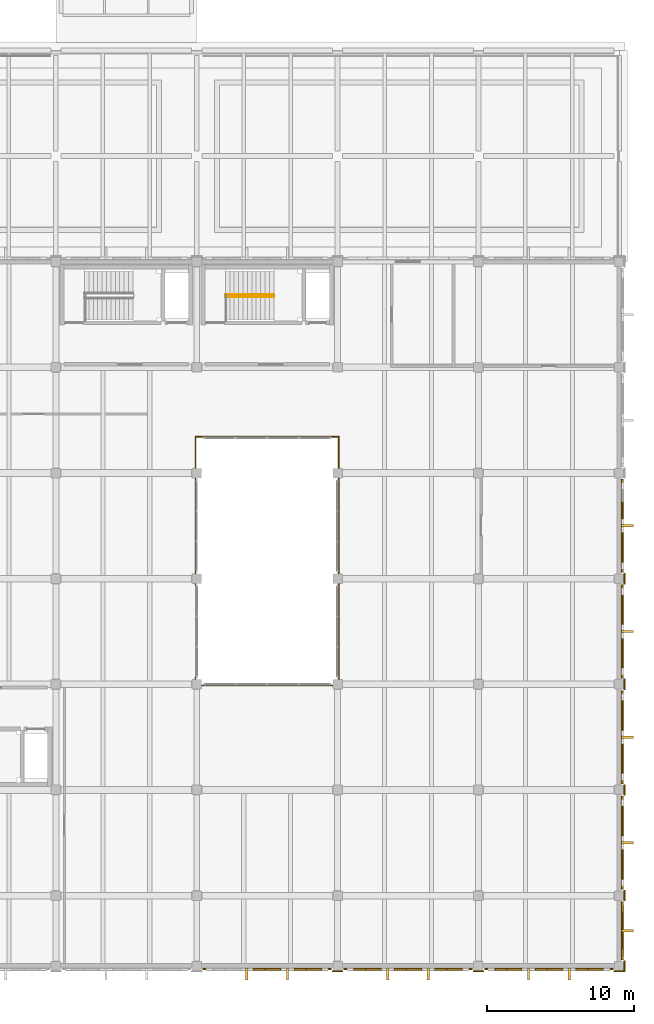
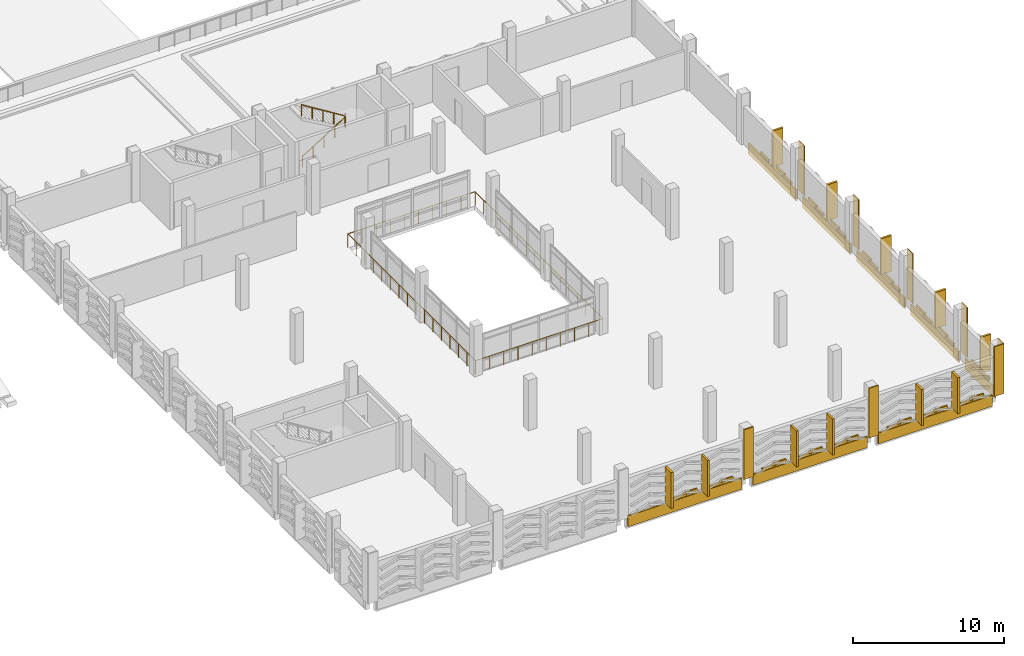
# One storey, part 132 of 134: 60 coverings, 4 railings.
"""IFC4 building model written with IfcOpenShell, lengths in metres."""

from ifc_helpers import new_model, si_unit, direction, frame, origin, origin_2d, place, context, subcontext, project, spatial, rectangle, circle, extrude, material, layer, layer_set, type_object, element, save


model = new_model("IFC4")

# Units and contexts
model_context = context("Model", 3, precision=1e-05, world=origin(), true_north=direction((0.0, 1.0)))
body_context = subcontext(model_context, "Body", "Model", "MODEL_VIEW")
ifc_project = project(units=[si_unit("LENGTHUNIT", "METRE"), si_unit("AREAUNIT", "SQUARE_METRE"), si_unit("VOLUMEUNIT", "CUBIC_METRE"), si_unit("PLANEANGLEUNIT", "RADIAN"), si_unit("MASSUNIT", "GRAM", prefix="KILO")], contexts=[model_context])

# Site, building, storey
site_placement = place(None, origin())
site = spatial("IfcSite", under=ifc_project, at=site_placement, CompositionType="ELEMENT")
building_placement = place(site_placement, origin())
building = spatial("IfcBuilding", under=site, at=building_placement, Name="Asteropetra Specialist Clinic", CompositionType="ELEMENT")
storey_placement = place(building_placement, frame((0.0, 0.0, 8.5)))
storey = spatial("IfcBuildingStorey", under=building, at=storey_placement, Name="L02", CompositionType="ELEMENT", Elevation=8.5)

# Coverings
ifc_material_1 = material(Name="Chevron aegean mid")
ifc_layer_1 = layer(ifc_material_1, 0.1201171875)
ifc_layer_set_1 = layer_set([ifc_layer_1], Name="Chevron aegean mid")
covering_type_1 = type_object("IfcCoveringType", Name="CLD-AEG-MID", PredefinedType="CLADDING", material=ifc_layer_set_1)
covering_1_placement = place(storey_placement, frame((129.60009765625, -0.197509765625, -0.800048828125), z_axis=(0.0, 0.0, 1.0), x_axis=(1.0, 0.0, 0.0)))
element("IfcCovering", 1, at=covering_1_placement, inside=storey, type_object=covering_type_1, Name="Chevron Spandrel Band CV-2173", PredefinedType="CLADDING", context=body_context, shape_type="SweptSolid", body=[
    extrude(rectangle(XDim=8.75, YDim=0.1201171875, at=origin_2d()), origin(), (0.0, 0.0, 1.0), 0.8798828125),
])
for number, where, z_axis, x_axis, name in (
    (2, (129.1904296875, -0.21240234375, 0.1201171875), (0.0, 0.0, 1.0), (1.0, 0.0, 0.0), "Chevron Ceramic Band CV-2176"),
    (3, (130.009521484375, -0.21240234375, 0.26025390625), (0.0, 0.0, 1.0), (1.0, 0.0, 0.0), "Chevron Ceramic Band CV-2177"),
    (4, (131.96044921875, -0.21240234375, 0.1201171875), (0.0, 0.0, 1.0), (1.0, 0.0, 0.0), "Chevron Ceramic Band CV-2178"),
    (5, (132.779541015625, -0.21240234375, 0.26025390625), (0.0, 0.0, 1.0), (1.0, 0.0, 0.0), "Chevron Ceramic Band CV-2179"),
):
    element("IfcCovering", number, at=place(storey_placement, frame(where, z_axis=z_axis, x_axis=x_axis)), inside=storey, type_object=covering_type_1, Name=name, PredefinedType="CLADDING", context=body_context, shape_type="SweptSolid", body=[
        extrude(rectangle(XDim=1.052978515625, YDim=0.1201171875, at=origin_2d()), origin(), (0.0, 0.0, 1.0), 0.199951171875),
    ])
covering_2_placement = place(storey_placement, frame((139.199951171875, -0.197509765625, -0.800048828125), z_axis=(0.0, 0.0, 1.0), x_axis=(1.0, 0.0, 0.0)))
element("IfcCovering", 6, at=covering_2_placement, inside=storey, type_object=covering_type_1, Name="Chevron Spandrel Band CV-2187", PredefinedType="CLADDING", context=body_context, shape_type="SweptSolid", body=[
    extrude(rectangle(XDim=8.75, YDim=0.1201171875, at=origin_2d()), origin(), (0.0, 0.0, 1.0), 0.8798828125),
])
for number, where, z_axis, x_axis, name in (
    (7, (136.0205078125, -0.21240234375, 0.1201171875), (0.0, 0.0, 1.0), (1.0, 0.0, 0.0), "Chevron Ceramic Band CV-2188"),
    (8, (136.839599609375, -0.21240234375, 0.26025390625), (0.0, 0.0, 1.0), (1.0, 0.0, 0.0), "Chevron Ceramic Band CV-2189"),
    (9, (138.79052734375, -0.21240234375, 0.1201171875), (0.0, 0.0, 1.0), (1.0, 0.0, 0.0), "Chevron Ceramic Band CV-2190"),
    (10, (139.609619140625, -0.21240234375, 0.26025390625), (0.0, 0.0, 1.0), (1.0, 0.0, 0.0), "Chevron Ceramic Band CV-2191"),
    (11, (141.560546875, -0.21240234375, 0.1201171875), (0.0, 0.0, 1.0), (1.0, 0.0, 0.0), "Chevron Ceramic Band CV-2192"),
    (12, (142.37939453125, -0.21240234375, 0.26025390625), (0.0, 0.0, 1.0), (1.0, 0.0, 0.0), "Chevron Ceramic Band CV-2193"),
):
    element("IfcCovering", number, at=place(storey_placement, frame(where, z_axis=z_axis, x_axis=x_axis)), inside=storey, type_object=covering_type_1, Name=name, PredefinedType="CLADDING", context=body_context, shape_type="SweptSolid", body=[
        extrude(rectangle(XDim=1.052978515625, YDim=0.1201171875, at=origin_2d()), origin(), (0.0, 0.0, 1.0), 0.199951171875),
    ])
covering_3_placement = place(storey_placement, frame((148.800048828125, -0.197509765625, -0.800048828125), z_axis=(0.0, 0.0, 1.0), x_axis=(1.0, 0.0, 0.0)))
element("IfcCovering", 13, at=covering_3_placement, inside=storey, type_object=covering_type_1, Name="Chevron Spandrel Band CV-2195", PredefinedType="CLADDING", context=body_context, shape_type="SweptSolid", body=[
    extrude(rectangle(XDim=8.75, YDim=0.1201171875, at=origin_2d()), origin(), (0.0, 0.0, 1.0), 0.8798828125),
])
for number, where, z_axis, x_axis, name in (
    (14, (145.62060546875, -0.21240234375, 0.1201171875), (0.0, 0.0, 1.0), (1.0, 0.0, 0.0), "Chevron Ceramic Band CV-2196"),
    (15, (146.439453125, -0.21240234375, 0.26025390625), (0.0, 0.0, 1.0), (1.0, 0.0, 0.0), "Chevron Ceramic Band CV-2197"),
    (16, (148.390380859375, -0.21240234375, 0.1201171875), (0.0, 0.0, 1.0), (1.0, 0.0, 0.0), "Chevron Ceramic Band CV-2198"),
    (17, (149.20947265625, -0.21240234375, 0.26025390625), (0.0, 0.0, 1.0), (1.0, 0.0, 0.0), "Chevron Ceramic Band CV-2199"),
    (18, (151.160400390625, -0.21240234375, 0.1201171875), (0.0, 0.0, 1.0), (1.0, 0.0, 0.0), "Chevron Ceramic Band CV-2200"),
    (19, (151.9794921875, -0.21240234375, 0.26025390625), (0.0, 0.0, 1.0), (1.0, 0.0, 0.0), "Chevron Ceramic Band CV-2201"),
):
    element("IfcCovering", number, at=place(storey_placement, frame(where, z_axis=z_axis, x_axis=x_axis)), inside=storey, type_object=covering_type_1, Name=name, PredefinedType="CLADDING", context=body_context, shape_type="SweptSolid", body=[
        extrude(rectangle(XDim=1.052978515625, YDim=0.1201171875, at=origin_2d()), origin(), (0.0, 0.0, 1.0), 0.199951171875),
    ])
covering_4_placement = place(storey_placement, frame((153.797607421875, 2.39990234375, -0.800048828125), z_axis=(0.0, 0.0, 1.0), x_axis=(1.0, 0.0, 0.0)))
element("IfcCovering", 20, at=covering_4_placement, inside=storey, type_object=covering_type_1, Name="Chevron Spandrel Band CV-2212", PredefinedType="CLADDING", context=body_context, shape_type="SweptSolid", body=[
    extrude(rectangle(XDim=0.1201171875, YDim=3.949951171875, at=origin_2d()), origin(), (0.0, 0.0, 1.0), 0.8798828125),
])
for number, where, z_axis, x_axis, name in (
    (21, (153.8125, 1.87939453125, 0.1201171875), (0.0, 0.0, 1.0), (1.0, 0.0, 0.0), "Chevron Ceramic Band CV-2213"),
    (22, (153.8125, 2.92041015625, 0.26025390625), (0.0, 0.0, 1.0), (1.0, 0.0, 0.0), "Chevron Ceramic Band CV-2214"),
):
    element("IfcCovering", number, at=place(storey_placement, frame(where, z_axis=z_axis, x_axis=x_axis)), inside=storey, type_object=covering_type_1, Name=name, PredefinedType="CLADDING", context=body_context, shape_type="SweptSolid", body=[
        extrude(rectangle(XDim=0.1201171875, YDim=1.333984375, at=origin_2d()), origin(), (0.0, 0.0, 1.0), 0.199951171875),
    ])
covering_5_placement = place(storey_placement, frame((153.797607421875, 8.39990234375, -0.800048828125), z_axis=(0.0, 0.0, 1.0), x_axis=(1.0, 0.0, 0.0)))
element("IfcCovering", 23, at=covering_5_placement, inside=storey, type_object=covering_type_1, Name="Chevron Spandrel Band CV-2220", PredefinedType="CLADDING", context=body_context, shape_type="SweptSolid", body=[
    extrude(rectangle(XDim=0.1201171875, YDim=6.35009765625, at=origin_2d()), origin(), (0.0, 0.0, 1.0), 0.8798828125),
])
for number, where, z_axis, x_axis, name in (
    (24, (153.8125, 6.4853515625, 0.1201171875), (0.0, 0.0, 1.0), (1.0, 0.0, 0.0), "Chevron Ceramic Band CV-2221"),
    (25, (153.8125, 7.35986328125, 0.26025390625), (0.0, 0.0, 1.0), (1.0, 0.0, 0.0), "Chevron Ceramic Band CV-2222"),
    (26, (153.8125, 9.440185546875, 0.1201171875), (0.0, 0.0, 1.0), (1.0, 0.0, 0.0), "Chevron Ceramic Band CV-2223"),
    (27, (153.8125, 10.314697265625, 0.26025390625), (0.0, 0.0, 1.0), (1.0, 0.0, 0.0), "Chevron Ceramic Band CV-2224"),
):
    element("IfcCovering", number, at=place(storey_placement, frame(where, z_axis=z_axis, x_axis=x_axis)), inside=storey, type_object=covering_type_1, Name=name, PredefinedType="CLADDING", context=body_context, shape_type="SweptSolid", body=[
        extrude(rectangle(XDim=0.1201171875, YDim=1.123046875, at=origin_2d()), origin(), (0.0, 0.0, 1.0), 0.199951171875),
    ])
covering_6_placement = place(storey_placement, frame((153.797607421875, 15.60009765625, -0.800048828125), z_axis=(0.0, 0.0, 1.0), x_axis=(1.0, 0.0, 0.0)))
element("IfcCovering", 28, at=covering_6_placement, inside=storey, type_object=covering_type_1, Name="Chevron Spandrel Band CV-2230", PredefinedType="CLADDING", context=body_context, shape_type="SweptSolid", body=[
    extrude(rectangle(XDim=0.1201171875, YDim=6.35009765625, at=origin_2d()), origin(), (0.0, 0.0, 1.0), 0.8798828125),
])
for number, where, z_axis, x_axis, name in (
    (29, (153.8125, 13.685302734375, 0.1201171875), (0.0, 0.0, 1.0), (1.0, 0.0, 0.0), "Chevron Ceramic Band CV-2231"),
    (30, (153.8125, 14.559814453125, 0.26025390625), (0.0, 0.0, 1.0), (1.0, 0.0, 0.0), "Chevron Ceramic Band CV-2232"),
    (31, (153.8125, 16.640380859375, 0.1201171875), (0.0, 0.0, 1.0), (1.0, 0.0, 0.0), "Chevron Ceramic Band CV-2233"),
    (32, (153.8125, 17.5146484375, 0.26025390625), (0.0, 0.0, 1.0), (1.0, 0.0, 0.0), "Chevron Ceramic Band CV-2234"),
):
    element("IfcCovering", number, at=place(storey_placement, frame(where, z_axis=z_axis, x_axis=x_axis)), inside=storey, type_object=covering_type_1, Name=name, PredefinedType="CLADDING", context=body_context, shape_type="SweptSolid", body=[
        extrude(rectangle(XDim=0.1201171875, YDim=1.123046875, at=origin_2d()), origin(), (0.0, 0.0, 1.0), 0.199951171875),
    ])
covering_7_placement = place(storey_placement, frame((153.797607421875, 22.800048828125, -0.800048828125), z_axis=(0.0, 0.0, 1.0), x_axis=(1.0, 0.0, 0.0)))
element("IfcCovering", 33, at=covering_7_placement, inside=storey, type_object=covering_type_1, Name="Chevron Spandrel Band CV-2240", PredefinedType="CLADDING", context=body_context, shape_type="SweptSolid", body=[
    extrude(rectangle(XDim=0.1201171875, YDim=6.35009765625, at=origin_2d()), origin(), (0.0, 0.0, 1.0), 0.8798828125),
])
for number, where, z_axis, x_axis, name in (
    (34, (153.8125, 20.88525390625, 0.1201171875), (0.0, 0.0, 1.0), (1.0, 0.0, 0.0), "Chevron Ceramic Band CV-2241"),
    (35, (153.8125, 21.759765625, 0.26025390625), (0.0, 0.0, 1.0), (1.0, 0.0, 0.0), "Chevron Ceramic Band CV-2242"),
    (36, (153.8125, 23.840087890625, 0.1201171875), (0.0, 0.0, 1.0), (1.0, 0.0, 0.0), "Chevron Ceramic Band CV-2243"),
    (37, (153.8125, 24.714599609375, 0.26025390625), (0.0, 0.0, 1.0), (1.0, 0.0, 0.0), "Chevron Ceramic Band CV-2244"),
):
    element("IfcCovering", number, at=place(storey_placement, frame(where, z_axis=z_axis, x_axis=x_axis)), inside=storey, type_object=covering_type_1, Name=name, PredefinedType="CLADDING", context=body_context, shape_type="SweptSolid", body=[
        extrude(rectangle(XDim=0.1201171875, YDim=1.123046875, at=origin_2d()), origin(), (0.0, 0.0, 1.0), 0.199951171875),
    ])
covering_8_placement = place(storey_placement, frame((153.797607421875, 30.0, -0.800048828125), z_axis=(0.0, 0.0, 1.0), x_axis=(1.0, 0.0, 0.0)))
element("IfcCovering", 38, at=covering_8_placement, inside=storey, type_object=covering_type_1, Name="Chevron Spandrel Band CV-2250", PredefinedType="CLADDING", context=body_context, shape_type="SweptSolid", body=[
    extrude(rectangle(XDim=0.1201171875, YDim=6.35009765625, at=origin_2d()), origin(), (0.0, 0.0, 1.0), 0.8798828125),
])
for number, where, z_axis, x_axis, name in (
    (39, (153.8125, 28.085205078125, 0.1201171875), (0.0, 0.0, 1.0), (1.0, 0.0, 0.0), "Chevron Ceramic Band CV-2251"),
    (40, (153.8125, 28.959716796875, 0.26025390625), (0.0, 0.0, 1.0), (1.0, 0.0, 0.0), "Chevron Ceramic Band CV-2252"),
    (41, (153.8125, 31.040283203125, 0.1201171875), (0.0, 0.0, 1.0), (1.0, 0.0, 0.0), "Chevron Ceramic Band CV-2253"),
):
    element("IfcCovering", number, at=place(storey_placement, frame(where, z_axis=z_axis, x_axis=x_axis)), inside=storey, type_object=covering_type_1, Name=name, PredefinedType="CLADDING", context=body_context, shape_type="SweptSolid", body=[
        extrude(rectangle(XDim=0.1201171875, YDim=1.123046875, at=origin_2d()), origin(), (0.0, 0.0, 1.0), 0.199951171875),
    ])
ifc_material_2 = material(Name="Pentelic marble ashlar", Category="masonry")
ifc_layer_2 = layer(ifc_material_2, 0.159912109375)
ifc_layer_set_2 = layer_set([ifc_layer_2], Name="Pentelic marble ashlar")
covering_type_2 = type_object("IfcCoveringType", Name="CRN-ENTAB-600", PredefinedType="MOLDING", material=ifc_layer_set_2)
for number, where, z_axis, x_axis, name in (
    (42, (134.39990234375, -0.35693359375, 0.02001953125), (0.0, 0.0, 1.0), (1.0, 0.0, 0.0), "Neoclassical Pilaster Facing CM-1123"),
    (43, (144.0, -0.35693359375, 0.02001953125), (0.0, 0.0, 1.0), (1.0, 0.0, 0.0), "Neoclassical Pilaster Facing CM-1125"),
    (44, (153.60009765625, -0.35693359375, 0.02001953125), (0.0, 0.0, 1.0), (1.0, 0.0, 0.0), "Neoclassical Pilaster Facing CM-1127"),
):
    element("IfcCovering", number, at=place(storey_placement, frame(where, z_axis=z_axis, x_axis=x_axis)), inside=storey, type_object=covering_type_2, Name=name, PredefinedType="MOLDING", context=body_context, shape_type="SweptSolid", body=[
        extrude(rectangle(XDim=0.72998046875, YDim=0.080078125, at=origin_2d()), origin(), (0.0, 0.0, 1.0), 4.0400390625),
    ])
for number, where, z_axis, x_axis, name in (
    (45, (153.95703125, 0.0, 0.02001953125), (0.0, 0.0, 1.0), (1.0, 0.0, 0.0), "Neoclassical Pilaster Facing CM-1128"),
    (46, (153.95703125, 4.800048828125, 0.02001953125), (0.0, 0.0, 1.0), (1.0, 0.0, 0.0), "Neoclassical Pilaster Facing CM-1129"),
    (47, (153.95703125, 12.0, 0.02001953125), (0.0, 0.0, 1.0), (1.0, 0.0, 0.0), "Neoclassical Pilaster Facing CM-1130"),
    (48, (153.95703125, 19.199951171875, 0.02001953125), (0.0, 0.0, 1.0), (1.0, 0.0, 0.0), "Neoclassical Pilaster Facing CM-1131"),
    (49, (153.95703125, 26.39990234375, 0.02001953125), (0.0, 0.0, 1.0), (1.0, 0.0, 0.0), "Neoclassical Pilaster Facing CM-1132"),
):
    element("IfcCovering", number, at=place(storey_placement, frame(where, z_axis=z_axis, x_axis=x_axis)), inside=storey, type_object=covering_type_2, Name=name, PredefinedType="MOLDING", context=body_context, shape_type="SweptSolid", body=[
        extrude(rectangle(XDim=0.080078125, YDim=0.72998046875, at=origin_2d()), origin(), (0.0, 0.0, 1.0), 4.0400390625),
    ])
ifc_material_3 = material(Name="Pentelic marble solar fin", Category="masonry")
ifc_layer_3 = layer(ifc_material_3, 0.080078125)
ifc_layer_set_3 = layer_set([ifc_layer_3], Name="Pentelic marble solar fin")
covering_type_3 = type_object("IfcCoveringType", Name="FIN-SOLAR-800", PredefinedType="MOLDING", material=ifc_layer_set_3)
for number, where, z_axis, x_axis, name in (
    (50, (128.215087890625, -0.552490234375, 0.070068359375), (0.0, 0.0, 1.0), (1.0, 0.0, 0.0), "Solar Shading Fin FN-0192"),
    (51, (130.985107421875, -0.552490234375, 0.070068359375), (0.0, 0.0, 1.0), (1.0, 0.0, 0.0), "Solar Shading Fin FN-0193"),
    (52, (137.81494140625, -0.552490234375, 0.070068359375), (0.0, 0.0, 1.0), (1.0, 0.0, 0.0), "Solar Shading Fin FN-0196"),
    (53, (140.5849609375, -0.552490234375, 0.070068359375), (0.0, 0.0, 1.0), (1.0, 0.0, 0.0), "Solar Shading Fin FN-0197"),
    (54, (147.4150390625, -0.552490234375, 0.070068359375), (0.0, 0.0, 1.0), (1.0, 0.0, 0.0), "Solar Shading Fin FN-0198"),
    (55, (150.18505859375, -0.552490234375, 0.070068359375), (0.0, 0.0, 1.0), (1.0, 0.0, 0.0), "Solar Shading Fin FN-0199"),
):
    element("IfcCovering", number, at=place(storey_placement, frame(where, z_axis=z_axis, x_axis=x_axis)), inside=storey, type_object=covering_type_3, Name=name, PredefinedType="MOLDING", context=body_context, shape_type="SweptSolid", body=[
        extrude(rectangle(XDim=0.159912109375, YDim=0.800048828125, at=origin_2d()), origin(), (0.0, 0.0, 1.0), 2.919921875),
    ])
for number, where, z_axis, x_axis, name in (
    (56, (154.152587890625, 2.39990234375, 0.070068359375), (0.0, 0.0, 1.0), (1.0, 0.0, 0.0), "Solar Shading Fin FN-0203"),
    (57, (154.152587890625, 8.39990234375, 0.070068359375), (0.0, 0.0, 1.0), (1.0, 0.0, 0.0), "Solar Shading Fin FN-0205"),
    (58, (154.152587890625, 15.60009765625, 0.070068359375), (0.0, 0.0, 1.0), (1.0, 0.0, 0.0), "Solar Shading Fin FN-0207"),
    (59, (154.152587890625, 22.800048828125, 0.070068359375), (0.0, 0.0, 1.0), (1.0, 0.0, 0.0), "Solar Shading Fin FN-0209"),
    (60, (154.152587890625, 30.0, 0.070068359375), (0.0, 0.0, 1.0), (1.0, 0.0, 0.0), "Solar Shading Fin FN-0211"),
):
    element("IfcCovering", number, at=place(storey_placement, frame(where, z_axis=z_axis, x_axis=x_axis)), inside=storey, type_object=covering_type_3, Name=name, PredefinedType="MOLDING", context=body_context, shape_type="SweptSolid", body=[
        extrude(rectangle(XDim=0.800048828125, YDim=0.159912109375, at=origin_2d()), origin(), (0.0, 0.0, 1.0), 2.919921875),
    ])

# Railings
ifc_material_4 = material(Name="Powder-coated Steel S355 guardrail", Category="steel")
railing_type_1 = type_object("IfcRailingType", Name="GRD-EXT-1120", PredefinedType="GUARDRAIL", material=ifc_material_4)
railing_1_placement = place(storey_placement, frame((124.719970703125, 19.1201171875, 0.0)))
element("IfcRailing", 61, at=railing_1_placement, inside=storey, type_object=railing_type_1, Name="Perimeter Guard GRD-CT-L02-08A", PredefinedType="GUARDRAIL", context=body_context, shape_type="SweptSolid", body=[
    extrude(circle(Radius=0.02392578125, at=origin_2d()), frame((0.0, 0.0, 1.09619140625), z_axis=(1.0, 0.0, 0.0), x_axis=(0.0, 1.0, 0.0)), (0.0, 0.0, 1.0), 9.760009765625),
    extrude(circle(Radius=0.02392578125, at=origin_2d()), frame((9.760009765625, 0.0, 1.09619140625), z_axis=(0.0, 1.0, 0.0), x_axis=(-1.0, 0.0, 0.0)), (0.0, 0.0, 1.0), 16.9599609375),
    extrude(circle(Radius=0.02099609375, at=origin_2d()), origin(), (0.0, 0.0, 1.0), 1.072021484375),
    extrude(circle(Radius=0.02099609375, at=origin_2d()), frame((1.08447265625, 0.0, 0.0)), (0.0, 0.0, 1.0), 1.072021484375),
    extrude(circle(Radius=0.02099609375, at=origin_2d()), frame((2.1689453125, 0.0, 0.0)), (0.0, 0.0, 1.0), 1.072021484375),
    extrude(circle(Radius=0.02099609375, at=origin_2d()), frame((3.25341796875, 0.0, 0.0)), (0.0, 0.0, 1.0), 1.072021484375),
    extrude(circle(Radius=0.02099609375, at=origin_2d()), frame((4.337890625, 0.0, 0.0)), (0.0, 0.0, 1.0), 1.072021484375),
    extrude(circle(Radius=0.02099609375, at=origin_2d()), frame((5.422119140625, 0.0, 0.0)), (0.0, 0.0, 1.0), 1.072021484375),
    extrude(circle(Radius=0.02099609375, at=origin_2d()), frame((6.506591796875, 0.0, 0.0)), (0.0, 0.0, 1.0), 1.072021484375),
    extrude(circle(Radius=0.02099609375, at=origin_2d()), frame((7.591064453125, 0.0, 0.0)), (0.0, 0.0, 1.0), 1.072021484375),
    extrude(circle(Radius=0.02099609375, at=origin_2d()), frame((8.675537109375, 0.0, 0.0)), (0.0, 0.0, 1.0), 1.072021484375),
    extrude(circle(Radius=0.02099609375, at=origin_2d()), frame((9.760009765625, 0.0, 0.0)), (0.0, 0.0, 1.0), 1.072021484375),
    extrude(circle(Radius=0.02099609375, at=origin_2d()), frame((9.760009765625, 1.130615234375, 0.0)), (0.0, 0.0, 1.0), 1.072021484375),
    extrude(circle(Radius=0.02099609375, at=origin_2d()), frame((9.760009765625, 2.26123046875, 0.0)), (0.0, 0.0, 1.0), 1.072021484375),
    extrude(circle(Radius=0.02099609375, at=origin_2d()), frame((9.760009765625, 3.39208984375, 0.0)), (0.0, 0.0, 1.0), 1.072021484375),
    extrude(circle(Radius=0.02099609375, at=origin_2d()), frame((9.760009765625, 4.522705078125, 0.0)), (0.0, 0.0, 1.0), 1.072021484375),
    extrude(circle(Radius=0.02099609375, at=origin_2d()), frame((9.760009765625, 5.6533203125, 0.0)), (0.0, 0.0, 1.0), 1.072021484375),
    extrude(circle(Radius=0.02099609375, at=origin_2d()), frame((9.760009765625, 6.783935546875, 0.0)), (0.0, 0.0, 1.0), 1.072021484375),
    extrude(circle(Radius=0.02099609375, at=origin_2d()), frame((9.760009765625, 7.91455078125, 0.0)), (0.0, 0.0, 1.0), 1.072021484375),
    extrude(circle(Radius=0.02099609375, at=origin_2d()), frame((9.760009765625, 9.04541015625, 0.0)), (0.0, 0.0, 1.0), 1.072021484375),
    extrude(circle(Radius=0.02099609375, at=origin_2d()), frame((9.760009765625, 10.176025390625, 0.0)), (0.0, 0.0, 1.0), 1.072021484375),
    extrude(circle(Radius=0.02099609375, at=origin_2d()), frame((9.760009765625, 11.306640625, 0.0)), (0.0, 0.0, 1.0), 1.072021484375),
    extrude(circle(Radius=0.02099609375, at=origin_2d()), frame((9.760009765625, 12.437255859375, 0.0)), (0.0, 0.0, 1.0), 1.072021484375),
    extrude(circle(Radius=0.02099609375, at=origin_2d()), frame((9.760009765625, 13.56787109375, 0.0)), (0.0, 0.0, 1.0), 1.072021484375),
    extrude(circle(Radius=0.02099609375, at=origin_2d()), frame((9.760009765625, 14.69873046875, 0.0)), (0.0, 0.0, 1.0), 1.072021484375),
    extrude(circle(Radius=0.02099609375, at=origin_2d()), frame((9.760009765625, 15.829345703125, 0.0)), (0.0, 0.0, 1.0), 1.072021484375),
    extrude(circle(Radius=0.02099609375, at=origin_2d()), frame((9.760009765625, 16.9599609375, 0.0)), (0.0, 0.0, 1.0), 1.072021484375),
])
railing_2_placement = place(storey_placement, frame((134.47998046875, 36.080078125, 0.0)))
element("IfcRailing", 62, at=railing_2_placement, inside=storey, type_object=railing_type_1, Name="Perimeter Guard GRD-CT-L02-08B", PredefinedType="GUARDRAIL", context=body_context, shape_type="SweptSolid", body=[
    extrude(circle(Radius=0.02392578125, at=origin_2d()), frame((0.0, 0.0, 1.09619140625), z_axis=(-1.0, 0.0, 0.0), x_axis=(0.0, -1.0, 0.0)), (0.0, 0.0, 1.0), 9.760009765625),
    extrude(circle(Radius=0.02392578125, at=origin_2d()), frame((-9.760009765625, 0.0, 1.09619140625), z_axis=(0.0, -1.0, 0.0), x_axis=(1.0, 0.0, 0.0)), (0.0, 0.0, 1.0), 16.9599609375),
    extrude(circle(Radius=0.02099609375, at=origin_2d()), origin(), (0.0, 0.0, 1.0), 1.072021484375),
    extrude(circle(Radius=0.02099609375, at=origin_2d()), frame((-1.08447265625, 0.0, 0.0)), (0.0, 0.0, 1.0), 1.072021484375),
    extrude(circle(Radius=0.02099609375, at=origin_2d()), frame((-2.1689453125, 0.0, 0.0)), (0.0, 0.0, 1.0), 1.072021484375),
    extrude(circle(Radius=0.02099609375, at=origin_2d()), frame((-3.25341796875, 0.0, 0.0)), (0.0, 0.0, 1.0), 1.072021484375),
    extrude(circle(Radius=0.02099609375, at=origin_2d()), frame((-4.337890625, 0.0, 0.0)), (0.0, 0.0, 1.0), 1.072021484375),
    extrude(circle(Radius=0.02099609375, at=origin_2d()), frame((-5.422119140625, 0.0, 0.0)), (0.0, 0.0, 1.0), 1.072021484375),
    extrude(circle(Radius=0.02099609375, at=origin_2d()), frame((-6.506591796875, 0.0, 0.0)), (0.0, 0.0, 1.0), 1.072021484375),
    extrude(circle(Radius=0.02099609375, at=origin_2d()), frame((-7.591064453125, 0.0, 0.0)), (0.0, 0.0, 1.0), 1.072021484375),
    extrude(circle(Radius=0.02099609375, at=origin_2d()), frame((-8.675537109375, 0.0, 0.0)), (0.0, 0.0, 1.0), 1.072021484375),
    extrude(circle(Radius=0.02099609375, at=origin_2d()), frame((-9.760009765625, 0.0, 0.0)), (0.0, 0.0, 1.0), 1.072021484375),
    extrude(circle(Radius=0.02099609375, at=origin_2d()), frame((-9.760009765625, -1.130615234375, 0.0)), (0.0, 0.0, 1.0), 1.072021484375),
    extrude(circle(Radius=0.02099609375, at=origin_2d()), frame((-9.760009765625, -2.26123046875, 0.0)), (0.0, 0.0, 1.0), 1.072021484375),
    extrude(circle(Radius=0.02099609375, at=origin_2d()), frame((-9.760009765625, -3.39208984375, 0.0)), (0.0, 0.0, 1.0), 1.072021484375),
    extrude(circle(Radius=0.02099609375, at=origin_2d()), frame((-9.760009765625, -4.522705078125, 0.0)), (0.0, 0.0, 1.0), 1.072021484375),
    extrude(circle(Radius=0.02099609375, at=origin_2d()), frame((-9.760009765625, -5.6533203125, 0.0)), (0.0, 0.0, 1.0), 1.072021484375),
    extrude(circle(Radius=0.02099609375, at=origin_2d()), frame((-9.760009765625, -6.783935546875, 0.0)), (0.0, 0.0, 1.0), 1.072021484375),
    extrude(circle(Radius=0.02099609375, at=origin_2d()), frame((-9.760009765625, -7.91455078125, 0.0)), (0.0, 0.0, 1.0), 1.072021484375),
    extrude(circle(Radius=0.02099609375, at=origin_2d()), frame((-9.760009765625, -9.04541015625, 0.0)), (0.0, 0.0, 1.0), 1.072021484375),
    extrude(circle(Radius=0.02099609375, at=origin_2d()), frame((-9.760009765625, -10.176025390625, 0.0)), (0.0, 0.0, 1.0), 1.072021484375),
    extrude(circle(Radius=0.02099609375, at=origin_2d()), frame((-9.760009765625, -11.306640625, 0.0)), (0.0, 0.0, 1.0), 1.072021484375),
    extrude(circle(Radius=0.02099609375, at=origin_2d()), frame((-9.760009765625, -12.437255859375, 0.0)), (0.0, 0.0, 1.0), 1.072021484375),
    extrude(circle(Radius=0.02099609375, at=origin_2d()), frame((-9.760009765625, -13.56787109375, 0.0)), (0.0, 0.0, 1.0), 1.072021484375),
    extrude(circle(Radius=0.02099609375, at=origin_2d()), frame((-9.760009765625, -14.69873046875, 0.0)), (0.0, 0.0, 1.0), 1.072021484375),
    extrude(circle(Radius=0.02099609375, at=origin_2d()), frame((-9.760009765625, -15.829345703125, 0.0)), (0.0, 0.0, 1.0), 1.072021484375),
    extrude(circle(Radius=0.02099609375, at=origin_2d()), frame((-9.760009765625, -16.9599609375, 0.0)), (0.0, 0.0, 1.0), 1.072021484375),
])
ifc_material_5 = material(Name="Brushed stainless steel handrail", Category="steel")
railing_type_2 = type_object("IfcRailingType", Name="HRL-STAIR-920", PredefinedType="HANDRAIL", material=ifc_material_5)
railing_3_placement = place(storey_placement, frame((126.75, 45.6201171875, 0.0)))
element("IfcRailing", 63, at=railing_3_placement, inside=storey, type_object=railing_type_2, Name="Stair Handrail ST09-L02 F1", PredefinedType="HANDRAIL", context=body_context, shape_type="SweptSolid", body=[
    extrude(circle(Radius=0.02392578125, at=origin_2d()), frame((0.0, 0.0, 0.89599609375), z_axis=(0.850593546085, 0.0, 0.525823753132), x_axis=(0.0, 1.0, 0.0)), (0.0, 0.0, 1.0), 3.879638671875),
    extrude(circle(Radius=0.02099609375, at=origin_2d()), origin(), (0.0, 0.0, 1.0), 0.871826171875),
    extrude(circle(Radius=0.02099609375, at=origin_2d()), frame((0.824951171875, 0.0, 0.510009765625)), (0.0, 0.0, 1.0), 0.871826171875),
    extrude(circle(Radius=0.02099609375, at=origin_2d()), frame((1.64990234375, 0.0, 1.02001953125)), (0.0, 0.0, 1.0), 0.871826171875),
    extrude(circle(Radius=0.02099609375, at=origin_2d()), frame((2.47509765625, 0.0, 1.530029296875)), (0.0, 0.0, 1.0), 0.871826171875),
    extrude(circle(Radius=0.02099609375, at=origin_2d()), frame((3.300048828125, 0.0, 2.0400390625)), (0.0, 0.0, 1.0), 0.871826171875),
])
railing_4_placement = place(storey_placement, frame((130.050048828125, 45.760009765625, 2.0400390625)))
element("IfcRailing", 64, at=railing_4_placement, inside=storey, type_object=railing_type_2, Name="Stair Handrail ST09-L02 F2", PredefinedType="HANDRAIL", context=body_context, shape_type="SweptSolid", body=[
    extrude(circle(Radius=0.02392578125, at=origin_2d()), frame((0.0, 0.0, 0.89599609375), z_axis=(-0.850593546085, 0.0, 0.525823753132), x_axis=(0.0, -1.0, 0.0)), (0.0, 0.0, 1.0), 3.879638671875),
    extrude(circle(Radius=0.02099609375, at=origin_2d()), origin(), (0.0, 0.0, 1.0), 0.871826171875),
    extrude(circle(Radius=0.02099609375, at=origin_2d()), frame((-0.824951171875, 0.0, 0.510009765625)), (0.0, 0.0, 1.0), 0.871826171875),
    extrude(circle(Radius=0.02099609375, at=origin_2d()), frame((-1.64990234375, 0.0, 1.02001953125)), (0.0, 0.0, 1.0), 0.871826171875),
    extrude(circle(Radius=0.02099609375, at=origin_2d()), frame((-2.47509765625, 0.0, 1.530029296875)), (0.0, 0.0, 1.0), 0.871826171875),
    extrude(circle(Radius=0.02099609375, at=origin_2d()), frame((-3.300048828125, 0.0, 2.0400390625)), (0.0, 0.0, 1.0), 0.871826171875),
])

save(model, "model.ifc")
